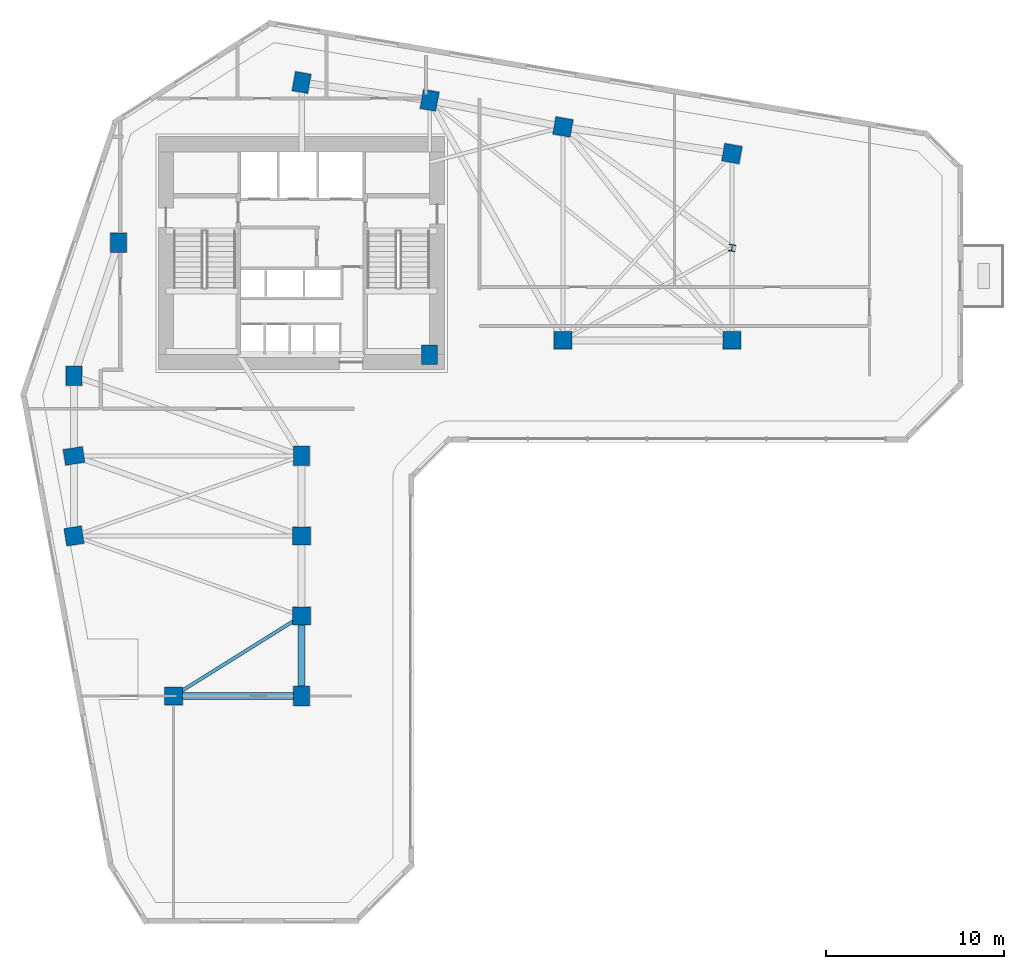
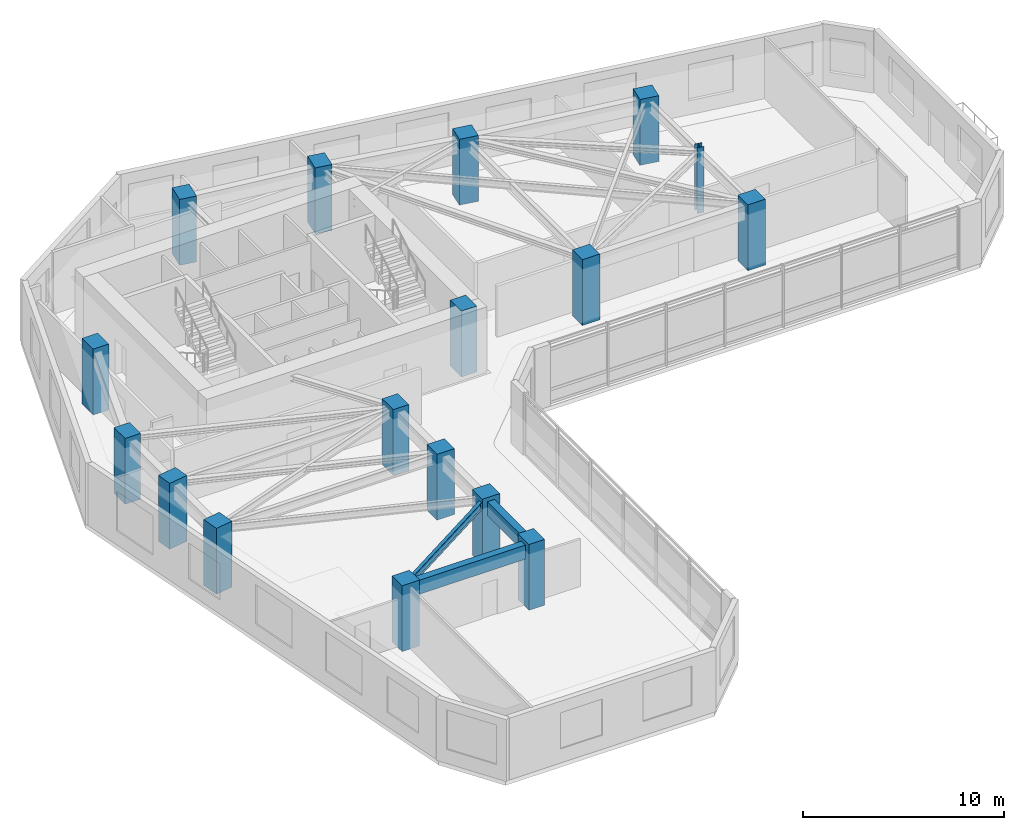
# One storey, part 1 of 11: 17 columns, 3 beams.
"""IFC4 building model written with IfcOpenShell, lengths in metres."""

import ifcopenshell
import ifcopenshell.guid

model = None  # the IFC model being written
_history = None  # IfcOwnerHistory: only IFC2X3 demands one
_inside = {}  # id of a spatial element -> (the spatial element, [elements in it])
_under = {}  # id of a project, library or spatial element -> (it, [spatial elements below it])
_declared = {}  # id of a project -> (the project, [libraries it declares])
_typed = {}  # id of a type object -> (the type object, [elements of that type])
_made_of = {}  # id of a material, layer set ... -> (it, [elements and type objects made of it])


def new_model(schema):
    """Start an empty IFC model of exactly this schema.

    Asked for "IFC4X3", IfcOpenShell would pick the latest addendum, in which some entities
    have other attributes; the version numbers below select the first issue.
    IFC2X3 requires an IfcOwnerHistory on every rooted entity: one is made here for all.
    """
    global model, _history
    if schema == "IFC4X3":
        model = ifcopenshell.file(schema_version=(4, 3, 0, 0))
    else:
        model = ifcopenshell.file(schema=schema)
    _inside.clear()
    _under.clear()
    _declared.clear()
    _typed.clear()
    _made_of.clear()
    _history = None
    if model.schema == "IFC2X3":
        org = make("IfcOrganization", Name="unknown")
        user = make(
            "IfcPersonAndOrganization",
            ThePerson=make("IfcPerson", FamilyName="unknown"),
            TheOrganization=org,
        )
        app = make(
            "IfcApplication",
            ApplicationDeveloper=org,
            Version="unknown",
            ApplicationFullName="unknown",
            ApplicationIdentifier="unknown",
        )
        _history = make(
            "IfcOwnerHistory",
            OwningUser=user,
            OwningApplication=app,
            ChangeAction="ADDED",
            CreationDate=0,
        )
    return model


def make(cls, **values):
    """One entity of the class cls with the attributes given. An attribute that is None is left unset."""
    return model.create_entity(
        cls, **{name: value for name, value in values.items() if value is not None}
    )


def rooted(cls, **values):
    """An entity with a GlobalId (a new one), such as an element, a storey or a relation."""
    return make(cls, GlobalId=ifcopenshell.guid.new(), OwnerHistory=_history, **values)


def si_unit(unit_type, name, prefix=None):
    """IfcSIUnit, for example si_unit("LENGTHUNIT", "METRE", prefix="MILLI")."""
    return make("IfcSIUnit", UnitType=unit_type, Prefix=prefix, Name=name)


def assignment(units):
    """IfcUnitAssignment: the units of a project."""
    return None if units is None else make("IfcUnitAssignment", Units=units)


def point(xyz):
    """IfcCartesianPoint."""
    return None if xyz is None else make("IfcCartesianPoint", Coordinates=xyz)


def direction(xyz):
    """IfcDirection."""
    return None if xyz is None else make("IfcDirection", DirectionRatios=xyz)


def frame(location, z_axis=None, x_axis=None):
    """IfcAxis2Placement3D, a coordinate frame: its origin and axes. An axis left out is left unset."""
    return make(
        "IfcAxis2Placement3D",
        Location=point(location),
        Axis=direction(z_axis),
        RefDirection=direction(x_axis),
    )


def frame_2d(location, x_axis=None):
    """IfcAxis2Placement2D, a coordinate frame in the plane: its origin and x axis."""
    return make(
        "IfcAxis2Placement2D", Location=point(location), RefDirection=direction(x_axis)
    )


def origin():
    """The frame at (0, 0, 0) with its axes left unset."""
    return frame((0.0, 0.0, 0.0))


def origin_2d():
    """The frame at (0, 0) in the plane with its x axis left unset."""
    return frame_2d((0.0, 0.0))


def place(relative_to, where):
    """IfcLocalPlacement: puts the frame where relative to a parent placement (None: the world)."""
    return make(
        "IfcLocalPlacement", PlacementRelTo=relative_to, RelativePlacement=where
    )


def context(
    kind, dimensions, precision=None, world=None, true_north=None, identifier=None
):
    """IfcGeometricRepresentationContext, for example the 3D "Model" context."""
    return make(
        "IfcGeometricRepresentationContext",
        ContextIdentifier=identifier,
        ContextType=kind,
        CoordinateSpaceDimension=dimensions,
        Precision=precision,
        WorldCoordinateSystem=world,
        TrueNorth=true_north,
    )


def subcontext(parent, identifier, kind, view, scale=None):
    """IfcGeometricRepresentationSubContext, for example "Body" below "Model"."""
    return make(
        "IfcGeometricRepresentationSubContext",
        ContextIdentifier=identifier,
        ContextType=kind,
        ParentContext=parent,
        TargetScale=scale,
        TargetView=view,
    )


def project(units=None, contexts=None):
    """IfcProject with its units and contexts."""
    return rooted(
        "IfcProject",
        Name="project",
        RepresentationContexts=contexts,
        UnitsInContext=assignment(units),
    )


def spatial(cls, under=None, at=None, **own):
    """A site, building, storey or space (cls), placed at a placement, below another one or the project."""
    s = rooted(cls, ObjectPlacement=at, **own)
    if under is not None:
        _under.setdefault(under.id(), (under, []))[1].append(s)
    return s


def profile(cls, at=None, kind="AREA", **sizes):
    """A parametric profile (cls). Its sizes go by their IFC names, for example OverallWidth=200.0."""
    return make(cls, ProfileType=kind, Position=at, **sizes)


def rectangle(**sizes):
    """IfcRectangleProfileDef."""
    return profile("IfcRectangleProfileDef", **sizes)


def i_section(**sizes):
    """IfcIShapeProfileDef."""
    return profile("IfcIShapeProfileDef", **sizes)


def extrude(swept, where, along, depth):
    """IfcExtrudedAreaSolid: the profile swept, set in the frame where, extruded along a direction by depth."""
    return make(
        "IfcExtrudedAreaSolid",
        SweptArea=swept,
        Position=where,
        ExtrudedDirection=direction(along),
        Depth=depth,
    )


def shape(context_of_items, identifier, shape_type, items):
    """IfcShapeRepresentation: the items that make up one representation, for example the "Body"."""
    return make(
        "IfcShapeRepresentation",
        ContextOfItems=context_of_items,
        RepresentationIdentifier=identifier,
        RepresentationType=shape_type,
        Items=items,
    )


def source(mapping_origin, context_of_items, identifier, shape_type, items):
    """IfcRepresentationMap: a shape defined once, which mapped items show again and again."""
    return make(
        "IfcRepresentationMap",
        MappingOrigin=mapping_origin,
        MappedRepresentation=shape(context_of_items, identifier, shape_type, items),
    )


def transform(
    local_origin,
    x_axis=None,
    y_axis=None,
    z_axis=None,
    scale=None,
    scale2=None,
    scale3=None,
    uniform=True,
):
    """IfcCartesianTransformationOperator3D, or its non-uniform kind. x_axis, y_axis, z_axis: its Axis1, 2, 3."""
    if uniform:
        return make(
            "IfcCartesianTransformationOperator3D",
            Axis1=direction(x_axis),
            Axis2=direction(y_axis),
            LocalOrigin=point(local_origin),
            Scale=scale,
            Axis3=direction(z_axis),
        )
    return make(
        "IfcCartesianTransformationOperator3DnonUniform",
        Axis1=direction(x_axis),
        Axis2=direction(y_axis),
        LocalOrigin=point(local_origin),
        Scale=scale,
        Axis3=direction(z_axis),
        Scale2=scale2,
        Scale3=scale3,
    )


def mapped(mapping_source, mapping_target):
    """IfcMappedItem: shows the shape of a source again, moved by a transform."""
    return make(
        "IfcMappedItem", MappingSource=mapping_source, MappingTarget=mapping_target
    )


def material(Name=None, Category=None):
    """IfcMaterial."""
    return make("IfcMaterial", Name=Name, Category=Category)


def material_profile(
    of_material, cross_section, Name=None, Category=None, Priority=None
):
    """IfcMaterialProfile: a cross section and its material."""
    return make(
        "IfcMaterialProfile",
        Name=Name,
        Material=of_material,
        Profile=cross_section,
        Priority=Priority,
        Category=Category,
    )


def profile_set(profiles, Name=None, composite=None):
    """IfcMaterialProfileSet."""
    return make(
        "IfcMaterialProfileSet",
        Name=Name,
        MaterialProfiles=profiles,
        CompositeProfile=composite,
    )


def made_of(thing, what):
    """Note that an element or type object is made of a material, layer set ...; save() writes the relation."""
    if what is not None:
        _made_of.setdefault(what.id(), (what, []))[1].append(thing)
    return thing


def type_object(cls, material=None, **own):
    """A type object (cls), such as IfcWallType, which elements share."""
    return made_of(rooted(cls, **own), material)


def element(
    cls,
    number,
    at=None,
    inside=None,
    cuts=None,
    type_object=None,
    material=None,
    context=None,
    identifier="Body",
    shape_type=None,
    held_by="IfcProductDefinitionShape",
    body=None,
    shapes=None,
    **own,
):
    """One element of the class cls, such as IfcWall. Its Tag is "e" and its number.

    at: its placement. inside: the storey or other place that contains it. cuts: it is an
    opening in that element (IfcRelVoidsElement). A single representation is given by context,
    identifier, shape_type and body (its items); several are given by shapes. held_by: the class
    of the entity that holds the representations. save() writes the other relations.
    """
    e = rooted(cls, Tag="e%d" % number, ObjectPlacement=at, **own)
    if body is not None:
        shapes = [shape(context, identifier, shape_type, body)]
    if shapes is not None:
        e.Representation = make(held_by, Representations=shapes)
    if inside is not None:
        _inside.setdefault(inside.id(), (inside, []))[1].append(e)
    if cuts is not None:
        rooted(
            "IfcRelVoidsElement", RelatingBuildingElement=cuts, RelatedOpeningElement=e
        )
    if type_object is not None:
        _typed.setdefault(type_object.id(), (type_object, []))[1].append(e)
    return made_of(e, material)


def aggregate(whole, parts):
    """IfcRelAggregates: a whole, such as a stair, and the parts it consists of."""
    return rooted("IfcRelAggregates", RelatingObject=whole, RelatedObjects=parts)


def save(model, path):
    """Write the relations noted so far, then the file.

    IfcRelAggregates (storeys below a building ...), IfcRelContainedInSpatialStructure (elements
    in a storey), IfcRelDefinesByType, IfcRelAssociatesMaterial and IfcRelDeclares: one each for
    every whole, place, type object, material and project.
    """
    for whole, parts in _under.values():
        aggregate(whole, parts)
    for where, things in _inside.values():
        rooted(
            "IfcRelContainedInSpatialStructure",
            RelatedElements=things,
            RelatingStructure=where,
        )
    for kind, things in _typed.values():
        rooted("IfcRelDefinesByType", RelatedObjects=things, RelatingType=kind)
    for what, things in _made_of.values():
        rooted("IfcRelAssociatesMaterial", RelatedObjects=things, RelatingMaterial=what)
    for by, libraries in _declared.values():
        rooted("IfcRelDeclares", RelatingContext=by, RelatedDefinitions=libraries)
    model.write(path)


model = new_model("IFC4")

# Units and contexts
model_context = context("Model", 3, precision=1e-05, world=origin(), true_north=direction((0.0, 1.0)))
body_context = subcontext(model_context, "Body", "Model", "MODEL_VIEW")
ifc_project = project(units=[si_unit("LENGTHUNIT", "METRE"), si_unit("AREAUNIT", "SQUARE_METRE"), si_unit("VOLUMEUNIT", "CUBIC_METRE"), si_unit("PLANEANGLEUNIT", "RADIAN"), si_unit("MASSUNIT", "GRAM", prefix="KILO")], contexts=[model_context])

# Site, building, storey
site_placement = place(None, origin())
site = spatial("IfcSite", under=ifc_project, at=site_placement, CompositionType="ELEMENT")
building_placement = place(site_placement, origin())
building = spatial("IfcBuilding", under=site, at=building_placement, Name="Calvemar Wedge Station Tower", CompositionType="ELEMENT")
storey_placement = place(building_placement, frame((0.0, 0.0, 31.0)))
storey = spatial("IfcBuildingStorey", under=building, at=storey_placement, Name="L07", CompositionType="ELEMENT", Elevation=31.0)

# Columns
ifc_material_1 = material(Name="Concrete C70", Category="concrete")
ifc_material_profile_1 = material_profile(ifc_material_1, rectangle(XDim=0.89990234375, YDim=1.10009765625, at=origin_2d()), Name="RC1100x900")
ifc_profile_set_1 = profile_set([ifc_material_profile_1], Name="Concrete C70")
column_type_1 = type_object("IfcColumnType", Name="COL-C3-1100x900", PredefinedType="COLUMN", material=ifc_profile_set_1)
shared_shape_1 = source(origin(), body_context, "Body", "SweptSolid", [
    extrude(rectangle(XDim=0.89990234375, YDim=1.10009765625, at=origin_2d()), origin(), (0.0, 0.0, 1.0), 4.0),
])
for number, where, z_axis, x_axis, name in (
    (1, (11.0, 33.0, 0.0), (0.0, 0.0, 1.0), (1.0, 0.0, 0.0), "Storey L07 Column T-NW1"),
    (2, (13.5, 40.5, 0.0), (0.0, 0.0, 1.0), (1.0, 0.0, 0.0), "Storey L07 Column T-NW2"),
    (3, (23.800048828125, 49.5, 0.0), (0.0, 0.0, 1.0), (0.984195607969, -0.17708474032, 0.0), "Storey L07 Column T-N1"),
    (4, (31.0, 48.5, 0.0), (0.0, 0.0, 1.0), (0.984195607969, -0.17708474032, 0.0), "Storey L07 Column T-N2"),
    (5, (31.0, 34.199951171875, 0.0), (0.0, 0.0, 1.0), (1.0, 0.0, 0.0), "Storey L07 Column T-NL1"),
    (6, (11.0, 28.5, 0.0), (0.0, 0.0, 1.0), (0.158158067254, -0.987413806751, 0.0), "Storey L07 Column T-SW1"),
    (7, (23.800048828125, 28.5, 0.0), (0.0, 0.0, 1.0), (1.0, 0.0, 0.0), "Storey L07 Column T-SE1"),
    (8, (23.800048828125, 15.0, 0.0), (0.0, 0.0, 1.0), (1.0, 0.0, 0.0), "Storey L07 Column T-SE4"),
):
    element("IfcColumn", number, at=place(storey_placement, frame(where, z_axis=z_axis, x_axis=x_axis)), inside=storey, type_object=column_type_1, Name=name, PredefinedType="COLUMN", context=body_context, shape_type="MappedRepresentation", body=[
        mapped(shared_shape_1, transform((0.0, 0.0, 0.0), scale=1.0)),
    ])
ifc_material_2 = material(Name="Concrete C60", Category="concrete")
ifc_material_profile_2 = material_profile(ifc_material_2, rectangle(XDim=1.0, YDim=1.0, at=origin_2d()), Name="RC1000x1000")
ifc_profile_set_2 = profile_set([ifc_material_profile_2], Name="Concrete C60")
column_type_2 = type_object("IfcColumnType", Name="COL-C4-1000", PredefinedType="COLUMN", material=ifc_profile_set_2)
shared_shape_2 = source(origin(), body_context, "Body", "SweptSolid", [
    extrude(rectangle(XDim=1.0, YDim=1.0, at=origin_2d()), origin(), (0.0, 0.0, 1.0), 4.0),
])
for number, where, z_axis, x_axis, name in (
    (9, (38.5, 47.0, 0.0), (0.0, 0.0, 1.0), (0.984195607969, -0.17708474032, 0.0), "Storey L07 Column T-NU3"),
    (10, (48.0, 45.5, 0.0), (0.0, 0.0, 1.0), (0.984195607969, -0.17708474032, 0.0), "Storey L07 Column T-NU4"),
    (11, (38.5, 35.0, 0.0), (0.0, 0.0, 1.0), (1.0, 0.0, 0.0), "Storey L07 Column T-NL2"),
    (12, (48.0, 35.0, 0.0), (0.0, 0.0, 1.0), (1.0, 0.0, 0.0), "Storey L07 Column T-NL3"),
    (13, (11.0, 24.0, 0.0), (0.0, 0.0, 1.0), (0.158158067254, -0.987413806751, 0.0), "Storey L07 Column T-SW2"),
    (14, (23.800048828125, 24.0, 0.0), (0.0, 0.0, 1.0), (1.0, 0.0, 0.0), "Storey L07 Column T-SE2"),
    (15, (23.800048828125, 19.5, 0.0), (0.0, 0.0, 1.0), (1.0, 0.0, 0.0), "Storey L07 Column T-SE3"),
    (16, (16.60009765625, 15.0, 0.0), (0.0, 0.0, 1.0), (1.0, 0.0, 0.0), "Storey L07 Column T-SM1"),
):
    element("IfcColumn", number, at=place(storey_placement, frame(where, z_axis=z_axis, x_axis=x_axis)), inside=storey, type_object=column_type_2, Name=name, PredefinedType="COLUMN", context=body_context, shape_type="MappedRepresentation", body=[
        mapped(shared_shape_2, transform((0.0, 0.0, 0.0), scale=1.0)),
    ])
ifc_material_3 = material(Name="Structural steel ASTM A572 Grade 50", Category="steel")
ifc_material_profile_3 = material_profile(ifc_material_3, i_section(OverallWidth=0.3740234375, OverallDepth=0.3720703125, WebThickness=0.016357421875, FlangeThickness=0.026123046875, FilletRadius=0.014892578125, at=origin_2d()), Name="W360x196")
ifc_profile_set_3 = profile_set([ifc_material_profile_3], Name="Structural steel ASTM A572 Grade 50")
column_type_3 = type_object("IfcColumnType", Name="COL-STL-W360", PredefinedType="COLUMN", material=ifc_profile_set_3)
shared_shape_3 = source(origin(), body_context, "Body", "SweptSolid", [
    extrude(i_section(OverallWidth=0.3740234375, OverallDepth=0.3720703125, WebThickness=0.016357421875, FlangeThickness=0.026123046875, FilletRadius=0.014892578125, at=origin_2d()), origin(), (0.0, 0.0, 1.0), 4.0),
])
column_placement = place(storey_placement, frame((48.0, 40.199951171875, 0.0), z_axis=(0.0, 0.0, 1.0), x_axis=(0.984195607969, -0.17708474032, 0.0)))
element("IfcColumn", 17, at=column_placement, inside=storey, type_object=column_type_3, Name="Storey L07 Column T-NTIP-A", PredefinedType="COLUMN", context=body_context, shape_type="MappedRepresentation", body=[
    mapped(shared_shape_3, transform((0.0, 0.0, 0.0), scale=1.0)),
])

# Beams
ifc_material_profile_4 = material_profile(ifc_material_2, rectangle(XDim=0.39990234375, YDim=0.85009765625, at=origin_2d()), Name="RC400x850")
ifc_profile_set_4 = profile_set([ifc_material_profile_4], Name="Concrete C60")
beam_type_1 = type_object("IfcBeamType", Name="BM-SP1-850", PredefinedType="SPANDREL", material=ifc_profile_set_4)
shared_shape_4 = source(origin(), body_context, "Body", "SweptSolid", [
    extrude(rectangle(XDim=0.39990234375, YDim=0.85009765625, at=origin_2d()), origin(), (0.0, 0.0, 1.0), 4.5),
])
beam_1_placement = place(storey_placement, frame((23.800048828125, 19.5, 3.324951171875), z_axis=(0.0, -1.0, 0.0), x_axis=(1.0, 0.0, 0.0)))
element("IfcBeam", 18, at=beam_1_placement, inside=storey, type_object=beam_type_1, Name="Storey L07 Spandrel T-SE3-T-SE4", PredefinedType="SPANDREL", context=body_context, shape_type="MappedRepresentation", body=[
    mapped(shared_shape_4, transform((0.0, 0.0, 0.0), scale=1.0)),
])
shared_shape_5 = source(origin(), body_context, "Body", "SweptSolid", [
    extrude(rectangle(XDim=0.39990234375, YDim=0.85009765625, at=origin_2d()), origin(), (0.0, 0.0, 1.0), 7.199951171875),
])
beam_2_placement = place(storey_placement, frame((16.60009765625, 15.0, 3.324951171875), z_axis=(1.0, 0.0, 0.0), x_axis=(0.0, 1.0, 0.0)))
element("IfcBeam", 19, at=beam_2_placement, inside=storey, type_object=beam_type_1, Name="Storey L07 Spandrel T-SM1-T-SE4", PredefinedType="SPANDREL", context=body_context, shape_type="MappedRepresentation", body=[
    mapped(shared_shape_5, transform((0.0, 0.0, 0.0), scale=1.0)),
])
ifc_material_profile_5 = material_profile(ifc_material_3, i_section(OverallWidth=0.19189453125, OverallDepth=0.462890625, WebThickness=0.010498046875, FlangeThickness=0.017578125, FilletRadius=0.012939453125, at=origin_2d()), Name="W460x89")
ifc_profile_set_5 = profile_set([ifc_material_profile_5], Name="Structural steel ASTM A572 Grade 50")
beam_type_2 = type_object("IfcBeamType", Name="BM-J1-W460", PredefinedType="JOIST", material=ifc_profile_set_5)
shared_shape_6 = source(origin(), body_context, "Body", "SweptSolid", [
    extrude(i_section(OverallWidth=0.19189453125, OverallDepth=0.462890625, WebThickness=0.010498046875, FlangeThickness=0.017578125, FilletRadius=0.012939453125, at=origin_2d()), origin(), (0.0, 0.0, 1.0), 8.490478515625),
])
beam_3_placement = place(storey_placement, frame((23.800048828125, 19.5, 3.5185546875), z_axis=(-0.847996688584, -0.530001524668, 0.0), x_axis=(0.530001524668, -0.847996688584, 0.0)))
element("IfcBeam", 20, at=beam_3_placement, inside=storey, type_object=beam_type_2, Name="Storey L07 Floor Beam T-SE3-T-SM1", PredefinedType="JOIST", context=body_context, shape_type="MappedRepresentation", body=[
    mapped(shared_shape_6, transform((0.0, 0.0, 0.0), scale=1.0)),
])

save(model, "model.ifc")
